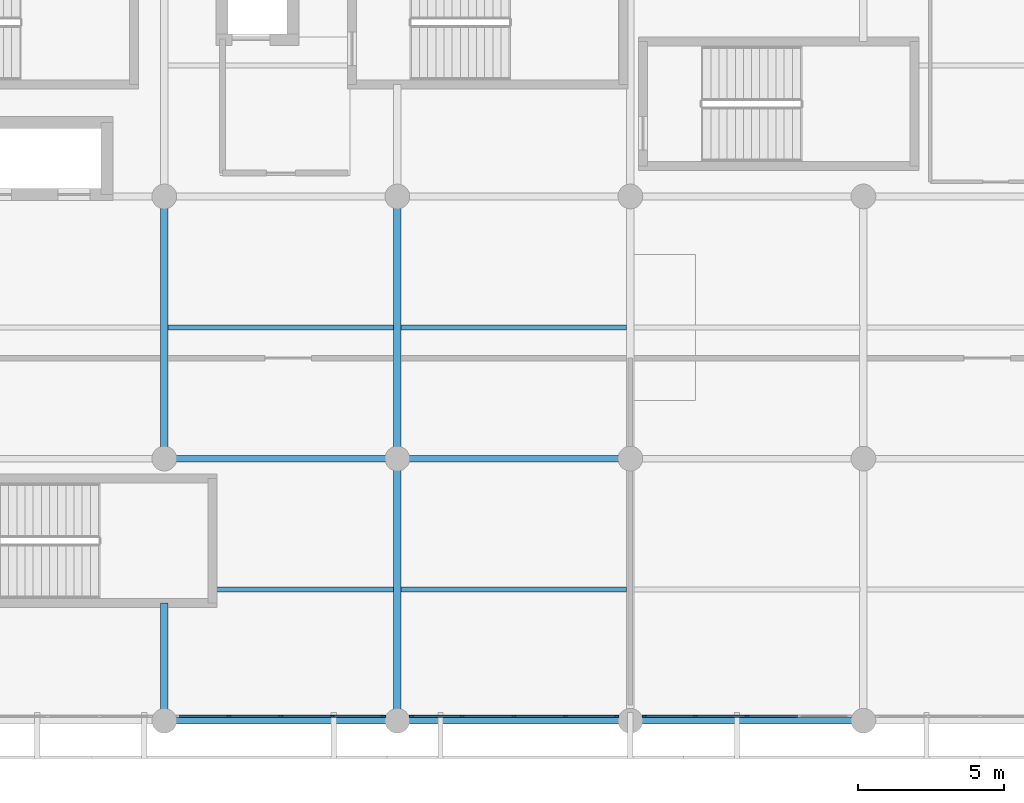
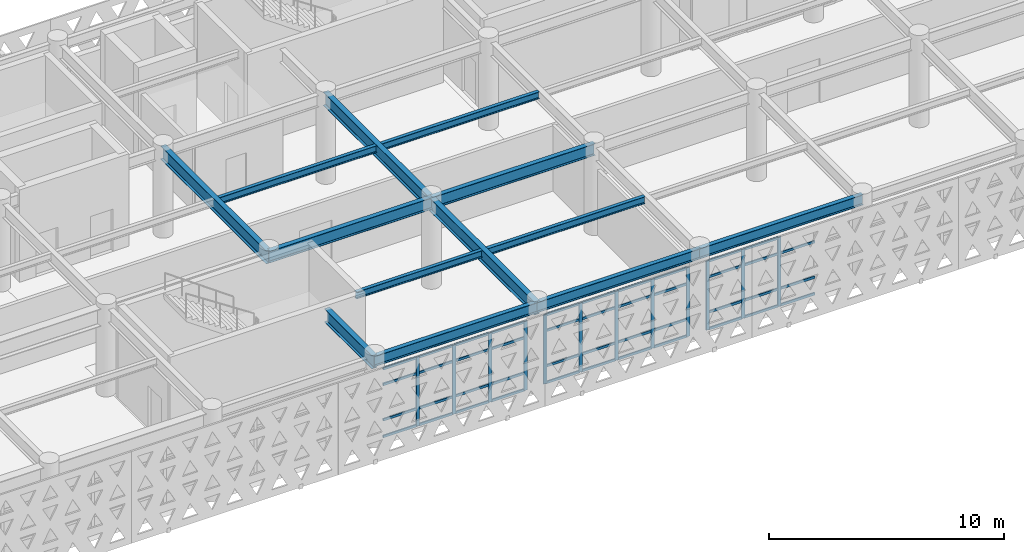
# One storey, part 11 of 54: 55 members, 13 beams, 3 elements without a shape of their own.
"""IFC4 building model written with IfcOpenShell, lengths in metres."""

from ifc_helpers import new_model, si_unit, direction, frame, origin, origin_2d, place, context, subcontext, project, spatial, rectangle, i_section, extrude, material, layer, layer_set, material_profile, profile_set, type_object, element, aggregate, save


model = new_model("IFC4")

# Units and contexts
model_context = context("Model", 3, precision=1e-05, world=origin(), true_north=direction((0.0, 1.0)))
body_context = subcontext(model_context, "Body", "Model", "MODEL_VIEW")
ifc_project = project(units=[si_unit("LENGTHUNIT", "METRE"), si_unit("AREAUNIT", "SQUARE_METRE"), si_unit("VOLUMEUNIT", "CUBIC_METRE"), si_unit("PLANEANGLEUNIT", "RADIAN"), si_unit("MASSUNIT", "GRAM", prefix="KILO")], contexts=[model_context])

# Site, building, storey
site_placement = place(None, origin())
site = spatial("IfcSite", under=ifc_project, at=site_placement, CompositionType="ELEMENT")
building_placement = place(site_placement, origin())
building = spatial("IfcBuilding", under=site, at=building_placement, Name="Tlacozan Convention Centre", CompositionType="ELEMENT")
storey_placement = place(building_placement, frame((0.0, 0.0, 11.39990234375)))
storey = spatial("IfcBuildingStorey", under=building, at=storey_placement, Name="L02", CompositionType="ELEMENT", Elevation=11.39990234375)

# Curtain wall, members
ifc_material_1 = material(Name="Dark Bronze Anodised Aluminium", Category="aluminium")
ifc_layer = layer(ifc_material_1, 0.159912109375)
ifc_layer_set = layer_set([ifc_layer], Name="Dark Bronze Anodised Aluminium")
curtain_wall_type = type_object("IfcCurtainWallType", Name="Unitised Congress L02 South CW03", PredefinedType="NOTDEFINED", material=ifc_layer_set)
curtain_wall_1_placement = place(storey_placement, origin())
curtain_wall_1 = element("IfcCurtainWall", 1, at=curtain_wall_1_placement, inside=storey, type_object=curtain_wall_type, Name="L02 CW-03 Run 82", PredefinedType="NOTDEFINED")
ifc_material_profile_1 = material_profile(ifc_material_1, rectangle(XDim=0.06494140625, YDim=0.159912109375, at=origin_2d()), Name="ALU 65x160")
ifc_profile_set_1 = profile_set([ifc_material_profile_1], Name="Dark Bronze Anodised Aluminium")
member_type_1 = type_object("IfcMemberType", Name="Curtain Wall Mullion 65x160", PredefinedType="MULLION", material=ifc_profile_set_1)
member_1_placement = place(storey_placement, frame((34.22509765625, 0.159912109375, 0.0), z_axis=(0.0, 0.0, 1.0), x_axis=(0.0, 1.0, 0.0)))
member_1 = element("IfcMember", 2, at=member_1_placement, type_object=member_type_1, Name="CW-03 mullion 2", PredefinedType="MULLION", context=body_context, shape_type="SweptSolid", body=[
    extrude(rectangle(XDim=0.06494140625, YDim=0.159912109375, at=origin_2d()), origin(), (0.0, 0.0, 1.0), 3.590087890625),
])
member_2_placement = place(storey_placement, frame((36.0, 0.159912109375, 0.0), z_axis=(0.0, 0.0, 1.0), x_axis=(0.0, 1.0, 0.0)))
member_2 = element("IfcMember", 3, at=member_2_placement, type_object=member_type_1, Name="CW-03 mullion 3", PredefinedType="MULLION", context=body_context, shape_type="SweptSolid", body=[
    extrude(rectangle(XDim=0.06494140625, YDim=0.159912109375, at=origin_2d()), origin(), (0.0, 0.0, 1.0), 3.590087890625),
])
member_3_placement = place(storey_placement, frame((37.77490234375, 0.159912109375, 0.0), z_axis=(0.0, 0.0, 1.0), x_axis=(0.0, 1.0, 0.0)))
member_3 = element("IfcMember", 4, at=member_3_placement, type_object=member_type_1, Name="CW-03 mullion 4", PredefinedType="MULLION", context=body_context, shape_type="SweptSolid", body=[
    extrude(rectangle(XDim=0.06494140625, YDim=0.159912109375, at=origin_2d()), origin(), (0.0, 0.0, 1.0), 3.590087890625),
])
member_4_placement = place(storey_placement, frame((39.517578125, 0.159912109375, 0.0), z_axis=(0.0, 0.0, 1.0), x_axis=(0.0, 1.0, 0.0)))
member_4 = element("IfcMember", 5, at=member_4_placement, type_object=member_type_1, Name="CW-03 mullion 5", PredefinedType="MULLION", context=body_context, shape_type="SweptSolid", body=[
    extrude(rectangle(XDim=0.06494140625, YDim=0.159912109375, at=origin_2d()), origin(), (0.0, 0.0, 1.0), 3.590087890625),
])

curtain_wall_2_placement = place(storey_placement, origin())
curtain_wall_2 = element("IfcCurtainWall", 6, at=curtain_wall_2_placement, inside=storey, type_object=curtain_wall_type, Name="L02 CW-03 Run 83", PredefinedType="NOTDEFINED")
member_5_placement = place(storey_placement, frame((40.482421875, 0.159912109375, 0.0), z_axis=(0.0, 0.0, 1.0), x_axis=(0.0, 1.0, 0.0)))
member_5 = element("IfcMember", 7, at=member_5_placement, type_object=member_type_1, Name="CW-03 mullion 1", PredefinedType="MULLION", context=body_context, shape_type="SweptSolid", body=[
    extrude(rectangle(XDim=0.06494140625, YDim=0.159912109375, at=origin_2d()), origin(), (0.0, 0.0, 1.0), 3.590087890625),
])
member_6_placement = place(storey_placement, frame((42.22509765625, 0.159912109375, 0.0), z_axis=(0.0, 0.0, 1.0), x_axis=(0.0, 1.0, 0.0)))
member_6 = element("IfcMember", 8, at=member_6_placement, type_object=member_type_1, Name="CW-03 mullion 2", PredefinedType="MULLION", context=body_context, shape_type="SweptSolid", body=[
    extrude(rectangle(XDim=0.06494140625, YDim=0.159912109375, at=origin_2d()), origin(), (0.0, 0.0, 1.0), 3.590087890625),
])
member_7_placement = place(storey_placement, frame((44.0, 0.159912109375, 0.0), z_axis=(0.0, 0.0, 1.0), x_axis=(0.0, 1.0, 0.0)))
member_7 = element("IfcMember", 9, at=member_7_placement, type_object=member_type_1, Name="CW-03 mullion 3", PredefinedType="MULLION", context=body_context, shape_type="SweptSolid", body=[
    extrude(rectangle(XDim=0.06494140625, YDim=0.159912109375, at=origin_2d()), origin(), (0.0, 0.0, 1.0), 3.590087890625),
])
member_8_placement = place(storey_placement, frame((45.77490234375, 0.159912109375, 0.0), z_axis=(0.0, 0.0, 1.0), x_axis=(0.0, 1.0, 0.0)))
member_8 = element("IfcMember", 10, at=member_8_placement, type_object=member_type_1, Name="CW-03 mullion 4", PredefinedType="MULLION", context=body_context, shape_type="SweptSolid", body=[
    extrude(rectangle(XDim=0.06494140625, YDim=0.159912109375, at=origin_2d()), origin(), (0.0, 0.0, 1.0), 3.590087890625),
])
member_9_placement = place(storey_placement, frame((47.517578125, 0.159912109375, 0.0), z_axis=(0.0, 0.0, 1.0), x_axis=(0.0, 1.0, 0.0)))
member_9 = element("IfcMember", 11, at=member_9_placement, type_object=member_type_1, Name="CW-03 mullion 5", PredefinedType="MULLION", context=body_context, shape_type="SweptSolid", body=[
    extrude(rectangle(XDim=0.06494140625, YDim=0.159912109375, at=origin_2d()), origin(), (0.0, 0.0, 1.0), 3.590087890625),
])

curtain_wall_3_placement = place(storey_placement, origin())
curtain_wall_3 = element("IfcCurtainWall", 12, at=curtain_wall_3_placement, inside=storey, type_object=curtain_wall_type, Name="L02 CW-03 Run 84", PredefinedType="NOTDEFINED")
member_10_placement = place(storey_placement, frame((48.482421875, 0.159912109375, 0.0), z_axis=(0.0, 0.0, 1.0), x_axis=(0.0, 1.0, 0.0)))
member_10 = element("IfcMember", 13, at=member_10_placement, type_object=member_type_1, Name="CW-03 mullion 1", PredefinedType="MULLION", context=body_context, shape_type="SweptSolid", body=[
    extrude(rectangle(XDim=0.06494140625, YDim=0.159912109375, at=origin_2d()), origin(), (0.0, 0.0, 1.0), 3.590087890625),
])
member_11_placement = place(storey_placement, frame((50.22509765625, 0.159912109375, 0.0), z_axis=(0.0, 0.0, 1.0), x_axis=(0.0, 1.0, 0.0)))
member_11 = element("IfcMember", 14, at=member_11_placement, type_object=member_type_1, Name="CW-03 mullion 2", PredefinedType="MULLION", context=body_context, shape_type="SweptSolid", body=[
    extrude(rectangle(XDim=0.06494140625, YDim=0.159912109375, at=origin_2d()), origin(), (0.0, 0.0, 1.0), 3.590087890625),
])
member_12_placement = place(storey_placement, frame((52.0, 0.159912109375, 0.0), z_axis=(0.0, 0.0, 1.0), x_axis=(0.0, 1.0, 0.0)))
member_12 = element("IfcMember", 15, at=member_12_placement, type_object=member_type_1, Name="CW-03 mullion 3", PredefinedType="MULLION", context=body_context, shape_type="SweptSolid", body=[
    extrude(rectangle(XDim=0.06494140625, YDim=0.159912109375, at=origin_2d()), origin(), (0.0, 0.0, 1.0), 3.590087890625),
])

# Member
ifc_material_profile_2 = material_profile(ifc_material_1, rectangle(XDim=0.06494140625, YDim=0.125, at=origin_2d()), Name="ALU 65x125")
ifc_profile_set_2 = profile_set([ifc_material_profile_2], Name="Dark Bronze Anodised Aluminium")
member_type_2 = type_object("IfcMemberType", Name="Curtain Wall Transom 65x125", PredefinedType="USERDEFINED", material=ifc_profile_set_2)
member_13_placement = place(storey_placement, frame((32.514892578125, 0.159912109375, 0.03271484375), z_axis=(1.0, 0.0, 0.0), x_axis=(0.0, 1.0, 0.0)))
member_13 = element("IfcMember", 16, at=member_13_placement, type_object=member_type_2, Name="CW-03 transom 1.1", ObjectType="TRANSOM", PredefinedType="USERDEFINED", context=body_context, shape_type="SweptSolid", body=[
    extrude(rectangle(XDim=0.06494140625, YDim=0.125, at=origin_2d()), origin(), (0.0, 0.0, 1.0), 1.677490234375),
])

member_14_placement = place(storey_placement, frame((32.514892578125, 0.159912109375, 0.900146484375), z_axis=(1.0, 0.0, 0.0), x_axis=(0.0, 1.0, 0.0)))
member_14 = element("IfcMember", 17, at=member_14_placement, type_object=member_type_2, Name="CW-03 transom 1.2", ObjectType="TRANSOM", PredefinedType="USERDEFINED", context=body_context, shape_type="SweptSolid", body=[
    extrude(rectangle(XDim=0.06494140625, YDim=0.125, at=origin_2d()), origin(), (0.0, 0.0, 1.0), 1.677490234375),
])

member_15_placement = place(storey_placement, frame((32.514892578125, 0.159912109375, 2.739990234375), z_axis=(1.0, 0.0, 0.0), x_axis=(0.0, 1.0, 0.0)))
member_15 = element("IfcMember", 18, at=member_15_placement, type_object=member_type_2, Name="CW-03 transom 1.3", ObjectType="TRANSOM", PredefinedType="USERDEFINED", context=body_context, shape_type="SweptSolid", body=[
    extrude(rectangle(XDim=0.06494140625, YDim=0.125, at=origin_2d()), origin(), (0.0, 0.0, 1.0), 1.677490234375),
])

member_16_placement = place(storey_placement, frame((32.514892578125, 0.159912109375, 3.5576171875), z_axis=(1.0, 0.0, 0.0), x_axis=(0.0, 1.0, 0.0)))
member_16 = element("IfcMember", 19, at=member_16_placement, type_object=member_type_2, Name="CW-03 transom 1.4", ObjectType="TRANSOM", PredefinedType="USERDEFINED", context=body_context, shape_type="SweptSolid", body=[
    extrude(rectangle(XDim=0.06494140625, YDim=0.125, at=origin_2d()), origin(), (0.0, 0.0, 1.0), 1.677490234375),
])

member_17_placement = place(storey_placement, frame((34.257568359375, 0.159912109375, 0.03271484375), z_axis=(1.0, 0.0, 0.0), x_axis=(0.0, 1.0, 0.0)))
member_17 = element("IfcMember", 20, at=member_17_placement, type_object=member_type_2, Name="CW-03 transom 2.1", ObjectType="TRANSOM", PredefinedType="USERDEFINED", context=body_context, shape_type="SweptSolid", body=[
    extrude(rectangle(XDim=0.06494140625, YDim=0.125, at=origin_2d()), origin(), (0.0, 0.0, 1.0), 1.7099609375),
])

member_18_placement = place(storey_placement, frame((34.257568359375, 0.159912109375, 0.900146484375), z_axis=(1.0, 0.0, 0.0), x_axis=(0.0, 1.0, 0.0)))
member_18 = element("IfcMember", 21, at=member_18_placement, type_object=member_type_2, Name="CW-03 transom 2.2", ObjectType="TRANSOM", PredefinedType="USERDEFINED", context=body_context, shape_type="SweptSolid", body=[
    extrude(rectangle(XDim=0.06494140625, YDim=0.125, at=origin_2d()), origin(), (0.0, 0.0, 1.0), 1.7099609375),
])

member_19_placement = place(storey_placement, frame((34.257568359375, 0.159912109375, 2.739990234375), z_axis=(1.0, 0.0, 0.0), x_axis=(0.0, 1.0, 0.0)))
member_19 = element("IfcMember", 22, at=member_19_placement, type_object=member_type_2, Name="CW-03 transom 2.3", ObjectType="TRANSOM", PredefinedType="USERDEFINED", context=body_context, shape_type="SweptSolid", body=[
    extrude(rectangle(XDim=0.06494140625, YDim=0.125, at=origin_2d()), origin(), (0.0, 0.0, 1.0), 1.7099609375),
])

member_20_placement = place(storey_placement, frame((34.257568359375, 0.159912109375, 3.5576171875), z_axis=(1.0, 0.0, 0.0), x_axis=(0.0, 1.0, 0.0)))
member_20 = element("IfcMember", 23, at=member_20_placement, type_object=member_type_2, Name="CW-03 transom 2.4", ObjectType="TRANSOM", PredefinedType="USERDEFINED", context=body_context, shape_type="SweptSolid", body=[
    extrude(rectangle(XDim=0.06494140625, YDim=0.125, at=origin_2d()), origin(), (0.0, 0.0, 1.0), 1.7099609375),
])

member_21_placement = place(storey_placement, frame((36.032470703125, 0.159912109375, 0.03271484375), z_axis=(1.0, 0.0, 0.0), x_axis=(0.0, 1.0, 0.0)))
member_21 = element("IfcMember", 24, at=member_21_placement, type_object=member_type_2, Name="CW-03 transom 3.1", ObjectType="TRANSOM", PredefinedType="USERDEFINED", context=body_context, shape_type="SweptSolid", body=[
    extrude(rectangle(XDim=0.06494140625, YDim=0.125, at=origin_2d()), origin(), (0.0, 0.0, 1.0), 1.7099609375),
])

member_22_placement = place(storey_placement, frame((36.032470703125, 0.159912109375, 0.900146484375), z_axis=(1.0, 0.0, 0.0), x_axis=(0.0, 1.0, 0.0)))
member_22 = element("IfcMember", 25, at=member_22_placement, type_object=member_type_2, Name="CW-03 transom 3.2", ObjectType="TRANSOM", PredefinedType="USERDEFINED", context=body_context, shape_type="SweptSolid", body=[
    extrude(rectangle(XDim=0.06494140625, YDim=0.125, at=origin_2d()), origin(), (0.0, 0.0, 1.0), 1.7099609375),
])

member_23_placement = place(storey_placement, frame((36.032470703125, 0.159912109375, 2.739990234375), z_axis=(1.0, 0.0, 0.0), x_axis=(0.0, 1.0, 0.0)))
member_23 = element("IfcMember", 26, at=member_23_placement, type_object=member_type_2, Name="CW-03 transom 3.3", ObjectType="TRANSOM", PredefinedType="USERDEFINED", context=body_context, shape_type="SweptSolid", body=[
    extrude(rectangle(XDim=0.06494140625, YDim=0.125, at=origin_2d()), origin(), (0.0, 0.0, 1.0), 1.7099609375),
])

member_24_placement = place(storey_placement, frame((36.032470703125, 0.159912109375, 3.5576171875), z_axis=(1.0, 0.0, 0.0), x_axis=(0.0, 1.0, 0.0)))
member_24 = element("IfcMember", 27, at=member_24_placement, type_object=member_type_2, Name="CW-03 transom 3.4", ObjectType="TRANSOM", PredefinedType="USERDEFINED", context=body_context, shape_type="SweptSolid", body=[
    extrude(rectangle(XDim=0.06494140625, YDim=0.125, at=origin_2d()), origin(), (0.0, 0.0, 1.0), 1.7099609375),
])

member_25_placement = place(storey_placement, frame((37.8076171875, 0.159912109375, 0.03271484375), z_axis=(1.0, 0.0, 0.0), x_axis=(0.0, 1.0, 0.0)))
member_25 = element("IfcMember", 28, at=member_25_placement, type_object=member_type_2, Name="CW-03 transom 4.1", ObjectType="TRANSOM", PredefinedType="USERDEFINED", context=body_context, shape_type="SweptSolid", body=[
    extrude(rectangle(XDim=0.06494140625, YDim=0.125, at=origin_2d()), origin(), (0.0, 0.0, 1.0), 1.677490234375),
])

member_26_placement = place(storey_placement, frame((37.8076171875, 0.159912109375, 0.900146484375), z_axis=(1.0, 0.0, 0.0), x_axis=(0.0, 1.0, 0.0)))
member_26 = element("IfcMember", 29, at=member_26_placement, type_object=member_type_2, Name="CW-03 transom 4.2", ObjectType="TRANSOM", PredefinedType="USERDEFINED", context=body_context, shape_type="SweptSolid", body=[
    extrude(rectangle(XDim=0.06494140625, YDim=0.125, at=origin_2d()), origin(), (0.0, 0.0, 1.0), 1.677490234375),
])

member_27_placement = place(storey_placement, frame((37.8076171875, 0.159912109375, 2.739990234375), z_axis=(1.0, 0.0, 0.0), x_axis=(0.0, 1.0, 0.0)))
member_27 = element("IfcMember", 30, at=member_27_placement, type_object=member_type_2, Name="CW-03 transom 4.3", ObjectType="TRANSOM", PredefinedType="USERDEFINED", context=body_context, shape_type="SweptSolid", body=[
    extrude(rectangle(XDim=0.06494140625, YDim=0.125, at=origin_2d()), origin(), (0.0, 0.0, 1.0), 1.677490234375),
])

member_28_placement = place(storey_placement, frame((37.8076171875, 0.159912109375, 3.5576171875), z_axis=(1.0, 0.0, 0.0), x_axis=(0.0, 1.0, 0.0)))
member_28 = element("IfcMember", 31, at=member_28_placement, type_object=member_type_2, Name="CW-03 transom 4.4", ObjectType="TRANSOM", PredefinedType="USERDEFINED", context=body_context, shape_type="SweptSolid", body=[
    extrude(rectangle(XDim=0.06494140625, YDim=0.125, at=origin_2d()), origin(), (0.0, 0.0, 1.0), 1.677490234375),
])

aggregate(curtain_wall_1, [member_1, member_2, member_3, member_4, member_13, member_14, member_15, member_16, member_17, member_18, member_19, member_20, member_21, member_22, member_23, member_24, member_25, member_26, member_27, member_28])

member_29_placement = place(storey_placement, frame((40.514892578125, 0.159912109375, 0.03271484375), z_axis=(1.0, 0.0, 0.0), x_axis=(0.0, 1.0, 0.0)))
member_29 = element("IfcMember", 32, at=member_29_placement, type_object=member_type_2, Name="CW-03 transom 1.1", ObjectType="TRANSOM", PredefinedType="USERDEFINED", context=body_context, shape_type="SweptSolid", body=[
    extrude(rectangle(XDim=0.06494140625, YDim=0.125, at=origin_2d()), origin(), (0.0, 0.0, 1.0), 1.677490234375),
])

member_30_placement = place(storey_placement, frame((40.514892578125, 0.159912109375, 0.900146484375), z_axis=(1.0, 0.0, 0.0), x_axis=(0.0, 1.0, 0.0)))
member_30 = element("IfcMember", 33, at=member_30_placement, type_object=member_type_2, Name="CW-03 transom 1.2", ObjectType="TRANSOM", PredefinedType="USERDEFINED", context=body_context, shape_type="SweptSolid", body=[
    extrude(rectangle(XDim=0.06494140625, YDim=0.125, at=origin_2d()), origin(), (0.0, 0.0, 1.0), 1.677490234375),
])

member_31_placement = place(storey_placement, frame((40.514892578125, 0.159912109375, 2.739990234375), z_axis=(1.0, 0.0, 0.0), x_axis=(0.0, 1.0, 0.0)))
member_31 = element("IfcMember", 34, at=member_31_placement, type_object=member_type_2, Name="CW-03 transom 1.3", ObjectType="TRANSOM", PredefinedType="USERDEFINED", context=body_context, shape_type="SweptSolid", body=[
    extrude(rectangle(XDim=0.06494140625, YDim=0.125, at=origin_2d()), origin(), (0.0, 0.0, 1.0), 1.677490234375),
])

member_32_placement = place(storey_placement, frame((40.514892578125, 0.159912109375, 3.5576171875), z_axis=(1.0, 0.0, 0.0), x_axis=(0.0, 1.0, 0.0)))
member_32 = element("IfcMember", 35, at=member_32_placement, type_object=member_type_2, Name="CW-03 transom 1.4", ObjectType="TRANSOM", PredefinedType="USERDEFINED", context=body_context, shape_type="SweptSolid", body=[
    extrude(rectangle(XDim=0.06494140625, YDim=0.125, at=origin_2d()), origin(), (0.0, 0.0, 1.0), 1.677490234375),
])

member_33_placement = place(storey_placement, frame((42.257568359375, 0.159912109375, 0.03271484375), z_axis=(1.0, 0.0, 0.0), x_axis=(0.0, 1.0, 0.0)))
member_33 = element("IfcMember", 36, at=member_33_placement, type_object=member_type_2, Name="CW-03 transom 2.1", ObjectType="TRANSOM", PredefinedType="USERDEFINED", context=body_context, shape_type="SweptSolid", body=[
    extrude(rectangle(XDim=0.06494140625, YDim=0.125, at=origin_2d()), origin(), (0.0, 0.0, 1.0), 1.7099609375),
])

member_34_placement = place(storey_placement, frame((42.257568359375, 0.159912109375, 0.900146484375), z_axis=(1.0, 0.0, 0.0), x_axis=(0.0, 1.0, 0.0)))
member_34 = element("IfcMember", 37, at=member_34_placement, type_object=member_type_2, Name="CW-03 transom 2.2", ObjectType="TRANSOM", PredefinedType="USERDEFINED", context=body_context, shape_type="SweptSolid", body=[
    extrude(rectangle(XDim=0.06494140625, YDim=0.125, at=origin_2d()), origin(), (0.0, 0.0, 1.0), 1.7099609375),
])

member_35_placement = place(storey_placement, frame((42.257568359375, 0.159912109375, 2.739990234375), z_axis=(1.0, 0.0, 0.0), x_axis=(0.0, 1.0, 0.0)))
member_35 = element("IfcMember", 38, at=member_35_placement, type_object=member_type_2, Name="CW-03 transom 2.3", ObjectType="TRANSOM", PredefinedType="USERDEFINED", context=body_context, shape_type="SweptSolid", body=[
    extrude(rectangle(XDim=0.06494140625, YDim=0.125, at=origin_2d()), origin(), (0.0, 0.0, 1.0), 1.7099609375),
])

member_36_placement = place(storey_placement, frame((42.257568359375, 0.159912109375, 3.5576171875), z_axis=(1.0, 0.0, 0.0), x_axis=(0.0, 1.0, 0.0)))
member_36 = element("IfcMember", 39, at=member_36_placement, type_object=member_type_2, Name="CW-03 transom 2.4", ObjectType="TRANSOM", PredefinedType="USERDEFINED", context=body_context, shape_type="SweptSolid", body=[
    extrude(rectangle(XDim=0.06494140625, YDim=0.125, at=origin_2d()), origin(), (0.0, 0.0, 1.0), 1.7099609375),
])

member_37_placement = place(storey_placement, frame((44.032470703125, 0.159912109375, 0.03271484375), z_axis=(1.0, 0.0, 0.0), x_axis=(0.0, 1.0, 0.0)))
member_37 = element("IfcMember", 40, at=member_37_placement, type_object=member_type_2, Name="CW-03 transom 3.1", ObjectType="TRANSOM", PredefinedType="USERDEFINED", context=body_context, shape_type="SweptSolid", body=[
    extrude(rectangle(XDim=0.06494140625, YDim=0.125, at=origin_2d()), origin(), (0.0, 0.0, 1.0), 1.7099609375),
])

member_38_placement = place(storey_placement, frame((44.032470703125, 0.159912109375, 0.900146484375), z_axis=(1.0, 0.0, 0.0), x_axis=(0.0, 1.0, 0.0)))
member_38 = element("IfcMember", 41, at=member_38_placement, type_object=member_type_2, Name="CW-03 transom 3.2", ObjectType="TRANSOM", PredefinedType="USERDEFINED", context=body_context, shape_type="SweptSolid", body=[
    extrude(rectangle(XDim=0.06494140625, YDim=0.125, at=origin_2d()), origin(), (0.0, 0.0, 1.0), 1.7099609375),
])

member_39_placement = place(storey_placement, frame((44.032470703125, 0.159912109375, 2.739990234375), z_axis=(1.0, 0.0, 0.0), x_axis=(0.0, 1.0, 0.0)))
member_39 = element("IfcMember", 42, at=member_39_placement, type_object=member_type_2, Name="CW-03 transom 3.3", ObjectType="TRANSOM", PredefinedType="USERDEFINED", context=body_context, shape_type="SweptSolid", body=[
    extrude(rectangle(XDim=0.06494140625, YDim=0.125, at=origin_2d()), origin(), (0.0, 0.0, 1.0), 1.7099609375),
])

member_40_placement = place(storey_placement, frame((44.032470703125, 0.159912109375, 3.5576171875), z_axis=(1.0, 0.0, 0.0), x_axis=(0.0, 1.0, 0.0)))
member_40 = element("IfcMember", 43, at=member_40_placement, type_object=member_type_2, Name="CW-03 transom 3.4", ObjectType="TRANSOM", PredefinedType="USERDEFINED", context=body_context, shape_type="SweptSolid", body=[
    extrude(rectangle(XDim=0.06494140625, YDim=0.125, at=origin_2d()), origin(), (0.0, 0.0, 1.0), 1.7099609375),
])

member_41_placement = place(storey_placement, frame((45.8076171875, 0.159912109375, 0.03271484375), z_axis=(1.0, 0.0, 0.0), x_axis=(0.0, 1.0, 0.0)))
member_41 = element("IfcMember", 44, at=member_41_placement, type_object=member_type_2, Name="CW-03 transom 4.1", ObjectType="TRANSOM", PredefinedType="USERDEFINED", context=body_context, shape_type="SweptSolid", body=[
    extrude(rectangle(XDim=0.06494140625, YDim=0.125, at=origin_2d()), origin(), (0.0, 0.0, 1.0), 1.677490234375),
])

member_42_placement = place(storey_placement, frame((45.8076171875, 0.159912109375, 0.900146484375), z_axis=(1.0, 0.0, 0.0), x_axis=(0.0, 1.0, 0.0)))
member_42 = element("IfcMember", 45, at=member_42_placement, type_object=member_type_2, Name="CW-03 transom 4.2", ObjectType="TRANSOM", PredefinedType="USERDEFINED", context=body_context, shape_type="SweptSolid", body=[
    extrude(rectangle(XDim=0.06494140625, YDim=0.125, at=origin_2d()), origin(), (0.0, 0.0, 1.0), 1.677490234375),
])

member_43_placement = place(storey_placement, frame((45.8076171875, 0.159912109375, 2.739990234375), z_axis=(1.0, 0.0, 0.0), x_axis=(0.0, 1.0, 0.0)))
member_43 = element("IfcMember", 46, at=member_43_placement, type_object=member_type_2, Name="CW-03 transom 4.3", ObjectType="TRANSOM", PredefinedType="USERDEFINED", context=body_context, shape_type="SweptSolid", body=[
    extrude(rectangle(XDim=0.06494140625, YDim=0.125, at=origin_2d()), origin(), (0.0, 0.0, 1.0), 1.677490234375),
])

member_44_placement = place(storey_placement, frame((45.8076171875, 0.159912109375, 3.5576171875), z_axis=(1.0, 0.0, 0.0), x_axis=(0.0, 1.0, 0.0)))
member_44 = element("IfcMember", 47, at=member_44_placement, type_object=member_type_2, Name="CW-03 transom 4.4", ObjectType="TRANSOM", PredefinedType="USERDEFINED", context=body_context, shape_type="SweptSolid", body=[
    extrude(rectangle(XDim=0.06494140625, YDim=0.125, at=origin_2d()), origin(), (0.0, 0.0, 1.0), 1.677490234375),
])

aggregate(curtain_wall_2, [member_5, member_6, member_7, member_8, member_9, member_29, member_30, member_31, member_32, member_33, member_34, member_35, member_36, member_37, member_38, member_39, member_40, member_41, member_42, member_43, member_44])

member_45_placement = place(storey_placement, frame((48.514892578125, 0.159912109375, 0.03271484375), z_axis=(1.0, 0.0, 0.0), x_axis=(0.0, 1.0, 0.0)))
member_45 = element("IfcMember", 48, at=member_45_placement, type_object=member_type_2, Name="CW-03 transom 1.1", ObjectType="TRANSOM", PredefinedType="USERDEFINED", context=body_context, shape_type="SweptSolid", body=[
    extrude(rectangle(XDim=0.06494140625, YDim=0.125, at=origin_2d()), origin(), (0.0, 0.0, 1.0), 1.677490234375),
])

member_46_placement = place(storey_placement, frame((48.514892578125, 0.159912109375, 0.900146484375), z_axis=(1.0, 0.0, 0.0), x_axis=(0.0, 1.0, 0.0)))
member_46 = element("IfcMember", 49, at=member_46_placement, type_object=member_type_2, Name="CW-03 transom 1.2", ObjectType="TRANSOM", PredefinedType="USERDEFINED", context=body_context, shape_type="SweptSolid", body=[
    extrude(rectangle(XDim=0.06494140625, YDim=0.125, at=origin_2d()), origin(), (0.0, 0.0, 1.0), 1.677490234375),
])

member_47_placement = place(storey_placement, frame((48.514892578125, 0.159912109375, 2.739990234375), z_axis=(1.0, 0.0, 0.0), x_axis=(0.0, 1.0, 0.0)))
member_47 = element("IfcMember", 50, at=member_47_placement, type_object=member_type_2, Name="CW-03 transom 1.3", ObjectType="TRANSOM", PredefinedType="USERDEFINED", context=body_context, shape_type="SweptSolid", body=[
    extrude(rectangle(XDim=0.06494140625, YDim=0.125, at=origin_2d()), origin(), (0.0, 0.0, 1.0), 1.677490234375),
])

member_48_placement = place(storey_placement, frame((48.514892578125, 0.159912109375, 3.5576171875), z_axis=(1.0, 0.0, 0.0), x_axis=(0.0, 1.0, 0.0)))
member_48 = element("IfcMember", 51, at=member_48_placement, type_object=member_type_2, Name="CW-03 transom 1.4", ObjectType="TRANSOM", PredefinedType="USERDEFINED", context=body_context, shape_type="SweptSolid", body=[
    extrude(rectangle(XDim=0.06494140625, YDim=0.125, at=origin_2d()), origin(), (0.0, 0.0, 1.0), 1.677490234375),
])

member_49_placement = place(storey_placement, frame((50.257568359375, 0.159912109375, 0.03271484375), z_axis=(1.0, 0.0, 0.0), x_axis=(0.0, 1.0, 0.0)))
member_49 = element("IfcMember", 52, at=member_49_placement, type_object=member_type_2, Name="CW-03 transom 2.1", ObjectType="TRANSOM", PredefinedType="USERDEFINED", context=body_context, shape_type="SweptSolid", body=[
    extrude(rectangle(XDim=0.06494140625, YDim=0.125, at=origin_2d()), origin(), (0.0, 0.0, 1.0), 1.7099609375),
])

member_50_placement = place(storey_placement, frame((50.257568359375, 0.159912109375, 0.900146484375), z_axis=(1.0, 0.0, 0.0), x_axis=(0.0, 1.0, 0.0)))
member_50 = element("IfcMember", 53, at=member_50_placement, type_object=member_type_2, Name="CW-03 transom 2.2", ObjectType="TRANSOM", PredefinedType="USERDEFINED", context=body_context, shape_type="SweptSolid", body=[
    extrude(rectangle(XDim=0.06494140625, YDim=0.125, at=origin_2d()), origin(), (0.0, 0.0, 1.0), 1.7099609375),
])

member_51_placement = place(storey_placement, frame((50.257568359375, 0.159912109375, 2.739990234375), z_axis=(1.0, 0.0, 0.0), x_axis=(0.0, 1.0, 0.0)))
member_51 = element("IfcMember", 54, at=member_51_placement, type_object=member_type_2, Name="CW-03 transom 2.3", ObjectType="TRANSOM", PredefinedType="USERDEFINED", context=body_context, shape_type="SweptSolid", body=[
    extrude(rectangle(XDim=0.06494140625, YDim=0.125, at=origin_2d()), origin(), (0.0, 0.0, 1.0), 1.7099609375),
])

member_52_placement = place(storey_placement, frame((50.257568359375, 0.159912109375, 3.5576171875), z_axis=(1.0, 0.0, 0.0), x_axis=(0.0, 1.0, 0.0)))
member_52 = element("IfcMember", 55, at=member_52_placement, type_object=member_type_2, Name="CW-03 transom 2.4", ObjectType="TRANSOM", PredefinedType="USERDEFINED", context=body_context, shape_type="SweptSolid", body=[
    extrude(rectangle(XDim=0.06494140625, YDim=0.125, at=origin_2d()), origin(), (0.0, 0.0, 1.0), 1.7099609375),
])

member_53_placement = place(storey_placement, frame((52.032470703125, 0.159912109375, 0.03271484375), z_axis=(1.0, 0.0, 0.0), x_axis=(0.0, 1.0, 0.0)))
member_53 = element("IfcMember", 56, at=member_53_placement, type_object=member_type_2, Name="CW-03 transom 3.1", ObjectType="TRANSOM", PredefinedType="USERDEFINED", context=body_context, shape_type="SweptSolid", body=[
    extrude(rectangle(XDim=0.06494140625, YDim=0.125, at=origin_2d()), origin(), (0.0, 0.0, 1.0), 1.7099609375),
])

member_54_placement = place(storey_placement, frame((52.032470703125, 0.159912109375, 0.900146484375), z_axis=(1.0, 0.0, 0.0), x_axis=(0.0, 1.0, 0.0)))
member_54 = element("IfcMember", 57, at=member_54_placement, type_object=member_type_2, Name="CW-03 transom 3.2", ObjectType="TRANSOM", PredefinedType="USERDEFINED", context=body_context, shape_type="SweptSolid", body=[
    extrude(rectangle(XDim=0.06494140625, YDim=0.125, at=origin_2d()), origin(), (0.0, 0.0, 1.0), 1.7099609375),
])

member_55_placement = place(storey_placement, frame((52.032470703125, 0.159912109375, 2.739990234375), z_axis=(1.0, 0.0, 0.0), x_axis=(0.0, 1.0, 0.0)))
member_55 = element("IfcMember", 58, at=member_55_placement, type_object=member_type_2, Name="CW-03 transom 3.3", ObjectType="TRANSOM", PredefinedType="USERDEFINED", context=body_context, shape_type="SweptSolid", body=[
    extrude(rectangle(XDim=0.06494140625, YDim=0.125, at=origin_2d()), origin(), (0.0, 0.0, 1.0), 1.7099609375),
])

aggregate(curtain_wall_3, [member_10, member_11, member_12, member_45, member_46, member_47, member_48, member_49, member_50, member_51, member_52, member_53, member_54, member_55])

# Beams
ifc_material_2 = material(Name="Steel ASTM A992 Grade 50", Category="steel")
ifc_material_profile_3 = material_profile(ifc_material_2, i_section(OverallWidth=0.22900390625, OverallDepth=0.612060546875, WebThickness=0.011962890625, FlangeThickness=0.01953125, FilletRadius=0.012939453125, at=origin_2d()), Name="IR 610x125.0")
ifc_profile_set_3 = profile_set([ifc_material_profile_3], Name="Steel ASTM A992 Grade 50")
beam_type_1 = type_object("IfcBeamType", Name="Floor Beam IR 610x125", PredefinedType="BEAM", material=ifc_profile_set_3)
for number, where, z_axis, x_axis, name in (
    (59, (32.0, 9.0, 4.244140625), (1.0, 0.0, 0.0), (0.0, 1.0, 0.0), "L02 Floor Beam IR 610x125 469"),
    (60, (40.0, 9.0, 4.244140625), (1.0, 0.0, 0.0), (0.0, 1.0, 0.0), "L02 Floor Beam IR 610x125 473"),
):
    element("IfcBeam", number, at=place(storey_placement, frame(where, z_axis=z_axis, x_axis=x_axis)), inside=storey, type_object=beam_type_1, Name=name, PredefinedType="BEAM", context=body_context, shape_type="SweptSolid", body=[
        extrude(i_section(OverallWidth=0.22900390625, OverallDepth=0.612060546875, WebThickness=0.011962890625, FlangeThickness=0.01953125, FilletRadius=0.012939453125, at=origin_2d()), origin(), (0.0, 0.0, 1.0), 8.0),
    ])
ifc_material_profile_4 = material_profile(ifc_material_2, i_section(OverallWidth=0.256103515625, OverallDepth=0.693115234375, WebThickness=0.014404296875, FlangeThickness=0.023681640625, FilletRadius=0.014892578125, at=origin_2d()), Name="IR 686x170.0")
ifc_profile_set_4 = profile_set([ifc_material_profile_4], Name="Steel ASTM A992 Grade 50")
beam_type_2 = type_object("IfcBeamType", Name="Girder Steel IR 686x170", PredefinedType="BEAM", material=ifc_profile_set_4)
beam_1_placement = place(storey_placement, frame((32.0, 0.0, 4.20361328125), z_axis=(0.0, 1.0, 0.0), x_axis=(-1.0, 0.0, 0.0)))
element("IfcBeam", 61, at=beam_1_placement, inside=storey, type_object=beam_type_2, Name="L02 Girder Steel IR 686x170 409", PredefinedType="BEAM", context=body_context, shape_type="SweptSolid", body=[
    extrude(i_section(OverallWidth=0.256103515625, OverallDepth=0.693115234375, WebThickness=0.014404296875, FlangeThickness=0.023681640625, FilletRadius=0.014892578125, at=origin_2d()), origin(), (0.0, 0.0, 1.0), 4.0400390625),
])
for number, where, z_axis, x_axis, name in (
    (62, (32.0, 9.0, 4.20361328125), (0.0, 1.0, 0.0), (-1.0, 0.0, 0.0), "L02 Girder Steel IR 686x170 410"),
    (63, (40.0, 0.0, 4.20361328125), (0.0, 1.0, 0.0), (-1.0, 0.0, 0.0), "L02 Girder Steel IR 686x170 412"),
    (64, (40.0, 9.0, 4.20361328125), (0.0, 1.0, 0.0), (-1.0, 0.0, 0.0), "L02 Girder Steel IR 686x170 413"),
):
    element("IfcBeam", number, at=place(storey_placement, frame(where, z_axis=z_axis, x_axis=x_axis)), inside=storey, type_object=beam_type_2, Name=name, PredefinedType="BEAM", context=body_context, shape_type="SweptSolid", body=[
        extrude(i_section(OverallWidth=0.256103515625, OverallDepth=0.693115234375, WebThickness=0.014404296875, FlangeThickness=0.023681640625, FilletRadius=0.014892578125, at=origin_2d()), origin(), (0.0, 0.0, 1.0), 9.0),
    ])
ifc_material_profile_5 = material_profile(ifc_material_2, i_section(OverallWidth=0.2109375, OverallDepth=0.5390625, WebThickness=0.01171875, FlangeThickness=0.018798828125, FilletRadius=0.012939453125, at=origin_2d()), Name="IR 533x109.0")
ifc_profile_set_5 = profile_set([ifc_material_profile_5], Name="Steel ASTM A992 Grade 50")
beam_type_3 = type_object("IfcBeamType", Name="Perimeter Spandrel IR 533x109", PredefinedType="SPANDREL", material=ifc_profile_set_5)
for number, where, z_axis, x_axis, name in (
    (65, (32.0, 0.0, 4.280517578125), (1.0, 0.0, 0.0), (0.0, 1.0, 0.0), "L02 Perimeter Spandrel IR 533x109 468"),
    (66, (40.0, 0.0, 4.280517578125), (1.0, 0.0, 0.0), (0.0, 1.0, 0.0), "L02 Perimeter Spandrel IR 533x109 472"),
    (67, (48.0, 0.0, 4.280517578125), (1.0, 0.0, 0.0), (0.0, 1.0, 0.0), "L02 Perimeter Spandrel IR 533x109 476"),
):
    element("IfcBeam", number, at=place(storey_placement, frame(where, z_axis=z_axis, x_axis=x_axis)), inside=storey, type_object=beam_type_3, Name=name, PredefinedType="SPANDREL", context=body_context, shape_type="SweptSolid", body=[
        extrude(i_section(OverallWidth=0.2109375, OverallDepth=0.5390625, WebThickness=0.01171875, FlangeThickness=0.018798828125, FilletRadius=0.012939453125, at=origin_2d()), origin(), (0.0, 0.0, 1.0), 8.0),
    ])
ifc_material_profile_6 = material_profile(ifc_material_2, i_section(OverallWidth=0.173095703125, OverallDepth=0.364013671875, WebThickness=0.009033203125, FlangeThickness=0.015625, FilletRadius=0.010009765625, at=origin_2d()), Name="IR 356x67.1")
ifc_profile_set_6 = profile_set([ifc_material_profile_6], Name="Steel ASTM A992 Grade 50")
beam_type_4 = type_object("IfcBeamType", Name="Secondary Joist IR 356x67.1", PredefinedType="JOIST", material=ifc_profile_set_6)
beam_2_placement = place(storey_placement, frame((33.659912109375, 4.5, 4.3681640625), z_axis=(1.0, 0.0, 0.0), x_axis=(0.0, 1.0, 0.0)))
element("IfcBeam", 68, at=beam_2_placement, inside=storey, type_object=beam_type_4, Name="L02 Secondary Joist IR 356x67.1 509", PredefinedType="JOIST", context=body_context, shape_type="SweptSolid", body=[
    extrude(i_section(OverallWidth=0.173095703125, OverallDepth=0.364013671875, WebThickness=0.009033203125, FlangeThickness=0.015625, FilletRadius=0.010009765625, at=origin_2d()), origin(), (0.0, 0.0, 1.0), 6.214111328125),
])
for number, where, z_axis, x_axis, name in (
    (69, (32.1259765625, 13.5, 4.3681640625), (1.0, 0.0, 0.0), (0.0, 1.0, 0.0), "L02 Secondary Joist IR 356x67.1 510"),
    (70, (40.1259765625, 4.5, 4.3681640625), (1.0, 0.0, 0.0), (0.0, 1.0, 0.0), "L02 Secondary Joist IR 356x67.1 512"),
    (71, (40.1259765625, 13.5, 4.3681640625), (1.0, 0.0, 0.0), (0.0, 1.0, 0.0), "L02 Secondary Joist IR 356x67.1 513"),
):
    element("IfcBeam", number, at=place(storey_placement, frame(where, z_axis=z_axis, x_axis=x_axis)), inside=storey, type_object=beam_type_4, Name=name, PredefinedType="JOIST", context=body_context, shape_type="SweptSolid", body=[
        extrude(i_section(OverallWidth=0.173095703125, OverallDepth=0.364013671875, WebThickness=0.009033203125, FlangeThickness=0.015625, FilletRadius=0.010009765625, at=origin_2d()), origin(), (0.0, 0.0, 1.0), 7.748046875),
    ])

save(model, "model.ifc")
